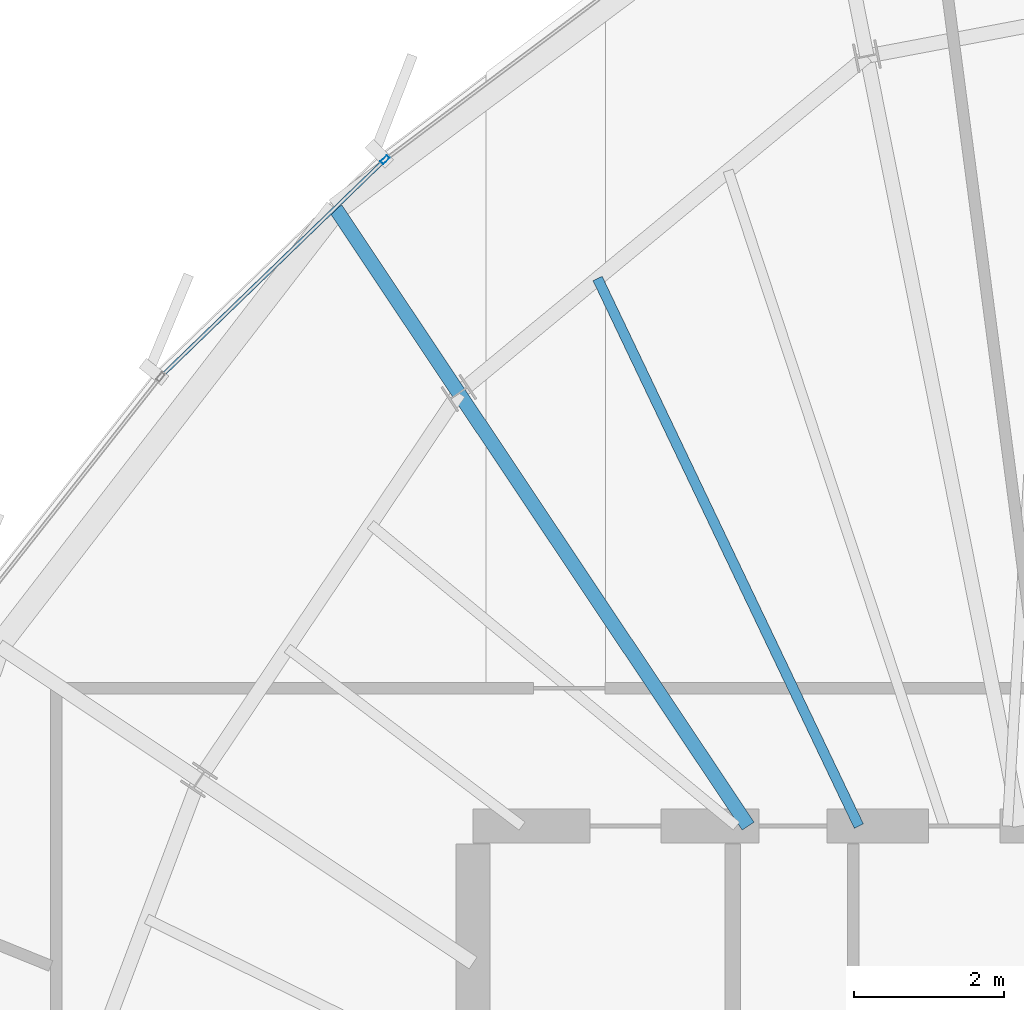
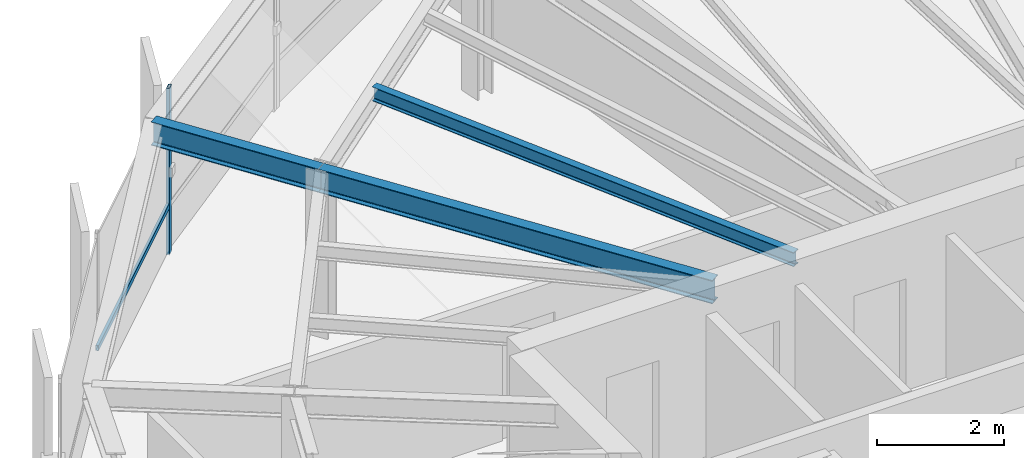
# One storey, part 19 of 34: 3 beams, 2 members, 1 element without a shape of its own.
"""IFC4 building model written with IfcOpenShell, lengths in metres."""

from ifc_helpers import new_model, si_unit, direction, frame, origin, origin_2d, place, context, subcontext, project, spatial, hollow_rectangle, i_section, extrude, source, transform, mapped, material, layer, layer_set, material_profile, profile_set, type_object, element, aggregate, save


model = new_model("IFC4")

# Units and contexts
model_context = context("Model", 3, precision=1e-05, world=origin(), true_north=direction((0.0, 1.0)))
body_context = subcontext(model_context, "Body", "Model", "MODEL_VIEW")
ifc_project = project(units=[si_unit("LENGTHUNIT", "METRE"), si_unit("AREAUNIT", "SQUARE_METRE"), si_unit("VOLUMEUNIT", "CUBIC_METRE"), si_unit("PLANEANGLEUNIT", "RADIAN"), si_unit("MASSUNIT", "GRAM", prefix="KILO"), si_unit("THERMODYNAMICTEMPERATUREUNIT", "KELVIN")], contexts=[model_context])

# Site, building, storey
site_placement = place(None, origin())
site = spatial("IfcSite", under=ifc_project, at=site_placement, CompositionType="ELEMENT")
building_placement = place(site_placement, origin())
building = spatial("IfcBuilding", under=site, at=building_placement, Name="Kethvar Cultural Tower", CompositionType="ELEMENT")
storey_placement = place(building_placement, frame((0.0, 0.0, 259.449951171875)))
storey = spatial("IfcBuildingStorey", under=building, at=storey_placement, Name="L68", CompositionType="ELEMENT", Elevation=259.449951171875)

# Beams
ifc_material_1 = material(Name="Steel S355J2", Category="steel")
ifc_material_profile_1 = material_profile(ifc_material_1, i_section(OverallWidth=0.18994140625, OverallDepth=0.449951171875, WebThickness=0.009521484375, FlangeThickness=0.0146484375, FilletRadius=0.02099609375, at=origin_2d()), Name="Steel S355J2 — IPE450")
ifc_profile_set_1 = profile_set([ifc_material_profile_1], Name="Steel S355J2 — IPE450")
beam_type_1 = type_object("IfcBeamType", Name="BM-IPE450", PredefinedType="BEAM", material=ifc_profile_set_1)
shared_shape_1 = source(origin(), body_context, "Body", "SweptSolid", [
    extrude(i_section(OverallWidth=0.18994140625, OverallDepth=0.449951171875, WebThickness=0.009521484375, FlangeThickness=0.0146484375, FilletRadius=0.02099609375, at=origin_2d()), origin(), (0.0, 0.0, 1.0), 6.921630859375),
])
beam_1_placement = place(storey_placement, frame((41.655029296875, 35.5, 2.983154296875), z_axis=(-0.555570841874, 0.831469205479, 0.0), x_axis=(-0.831469205479, -0.555570841874, 0.0)))
element("IfcBeam", 1, at=beam_1_placement, inside=storey, type_object=beam_type_1, Name="L68 Primary Radial Beam RB-06", PredefinedType="BEAM", context=body_context, shape_type="MappedRepresentation", body=[
    mapped(shared_shape_1, transform((0.0, 0.0, 0.0), scale=1.0)),
])
ifc_material_profile_2 = material_profile(ifc_material_1, i_section(OverallWidth=0.135009765625, OverallDepth=0.27001953125, WebThickness=0.006591796875, FlangeThickness=0.01025390625, FilletRadius=0.014892578125, at=origin_2d()), Name="Steel S355J2 — IPE270")
ifc_profile_set_2 = profile_set([ifc_material_profile_2], Name="Steel S355J2 — IPE270")
beam_type_2 = type_object("IfcBeamType", Name="BM-J270", PredefinedType="JOIST", material=ifc_profile_set_2)
shared_shape_2 = source(origin(), body_context, "Body", "SweptSolid", [
    extrude(i_section(OverallWidth=0.135009765625, OverallDepth=0.27001953125, WebThickness=0.006591796875, FlangeThickness=0.01025390625, FilletRadius=0.014892578125, at=origin_2d()), origin(), (0.0, 0.0, 1.0), 8.063232421875),
])
beam_2_placement = place(storey_placement, frame((43.1259765625, 35.5, 3.072998046875), z_axis=(-0.430642151588, 0.902522762746, 0.0), x_axis=(-0.902522762746, -0.430642151588, 0.0)))
element("IfcBeam", 2, at=beam_2_placement, inside=storey, type_object=beam_type_2, Name="L68 Composite Floor Joist J-05B", PredefinedType="JOIST", context=body_context, shape_type="MappedRepresentation", body=[
    mapped(shared_shape_2, transform((0.0, 0.0, 0.0), scale=1.0)),
])
shared_shape_3 = source(origin(), body_context, "Body", "SweptSolid", [
    extrude(i_section(OverallWidth=0.18994140625, OverallDepth=0.449951171875, WebThickness=0.009521484375, FlangeThickness=0.0146484375, FilletRadius=0.02099609375, at=origin_2d()), origin(), (0.0, 0.0, 1.0), 2.9423828125),
])
beam_3_placement = place(storey_placement, frame((37.8095703125, 41.255126953125, 2.983154296875), z_axis=(-0.555580665373, 0.831462641532, 0.0), x_axis=(-0.831462641532, -0.555580665373, 0.0)))
element("IfcBeam", 3, at=beam_3_placement, inside=storey, type_object=beam_type_1, Name="L68 Perimeter Cantilever Beam RC-06", PredefinedType="BEAM", context=body_context, shape_type="MappedRepresentation", body=[
    mapped(shared_shape_3, transform((0.0, 0.0, 0.0), scale=1.0)),
])

# Curtain wall, members
ifc_material_2 = material(Name="Aluminium 6063-T6", Category="aluminium")
ifc_layer = layer(ifc_material_2, 0.179931640625, Name="Aluminium 6063-T6", Category="aluminium")
ifc_layer_set = layer_set([ifc_layer], Name="Aluminium 6063-T6 (180 mm)")
curtain_wall_type = type_object("IfcCurtainWallType", Name="CW-SYS-05-Z56", PredefinedType="NOTDEFINED", material=ifc_layer_set)
curtain_wall_placement = place(storey_placement, origin())
curtain_wall = element("IfcCurtainWall", 4, at=curtain_wall_placement, inside=storey, type_object=curtain_wall_type, Name="L68 Curtain Wall Run 02", PredefinedType="NOTDEFINED")
ifc_material_profile_3 = material_profile(ifc_material_2, hollow_rectangle(XDim=0.054931640625, YDim=0.1201171875, WallThickness=0.00390625, at=origin_2d()), Name="Aluminium 6063-T6 — RHS120x55x4")
ifc_profile_set_3 = profile_set([ifc_material_profile_3], Name="Aluminium 6063-T6 — RHS120x55x4")
member_type_1 = type_object("IfcMemberType", Name="CW-SYS-05-Z56-MUL", PredefinedType="MULLION", material=ifc_profile_set_3)
shared_shape_4 = source(origin(), body_context, "Body", "SweptSolid", [
    extrude(hollow_rectangle(XDim=0.054931640625, YDim=0.1201171875, WallThickness=0.00390625, at=origin_2d()), origin(), (0.0, 0.0, 1.0), 3.2099609375),
])
member_1_placement = place(storey_placement, frame((36.829833984375, 44.357177734375, 0.0), z_axis=(0.0, 0.0, 1.0), x_axis=(0.695536691165, -0.718490578396, 0.0)))
member_1 = element("IfcMember", 5, at=member_1_placement, type_object=member_type_1, Name="CW-L68-R02 Mullion 2", PredefinedType="MULLION", context=body_context, shape_type="MappedRepresentation", body=[
    mapped(shared_shape_4, transform((0.0, 0.0, 0.0), scale=1.0)),
])
ifc_material_profile_4 = material_profile(ifc_material_2, hollow_rectangle(XDim=0.050048828125, YDim=0.10009765625, WallThickness=0.00390625, at=origin_2d()), Name="Aluminium 6063-T6 — RHS100x50x4")
ifc_profile_set_4 = profile_set([ifc_material_profile_4], Name="Aluminium 6063-T6 — RHS100x50x4")
member_type_2 = type_object("IfcMemberType", Name="CW-SYS-05-Z56-TRN", PredefinedType="USERDEFINED", material=ifc_profile_set_4)
shared_shape_5 = source(origin(), body_context, "Body", "SweptSolid", [
    extrude(hollow_rectangle(XDim=0.050048828125, YDim=0.10009765625, WallThickness=0.00390625, at=origin_2d()), origin(), (0.0, 0.0, 1.0), 4.08935546875),
])
member_2_placement = place(storey_placement, frame((36.801513671875, 44.32958984375, 0.949951171875), z_axis=(-0.718505894108, -0.69552086966, 0.0), x_axis=(0.69552086966, -0.718505894108, 0.0)))
member_2 = element("IfcMember", 6, at=member_2_placement, type_object=member_type_2, Name="CW-L68-R02 Transom 2", ObjectType="TRANSOM", PredefinedType="USERDEFINED", context=body_context, shape_type="MappedRepresentation", body=[
    mapped(shared_shape_5, transform((0.0, 0.0, 0.0), scale=1.0)),
])
aggregate(curtain_wall, [member_1, member_2])

save(model, "model.ifc")
